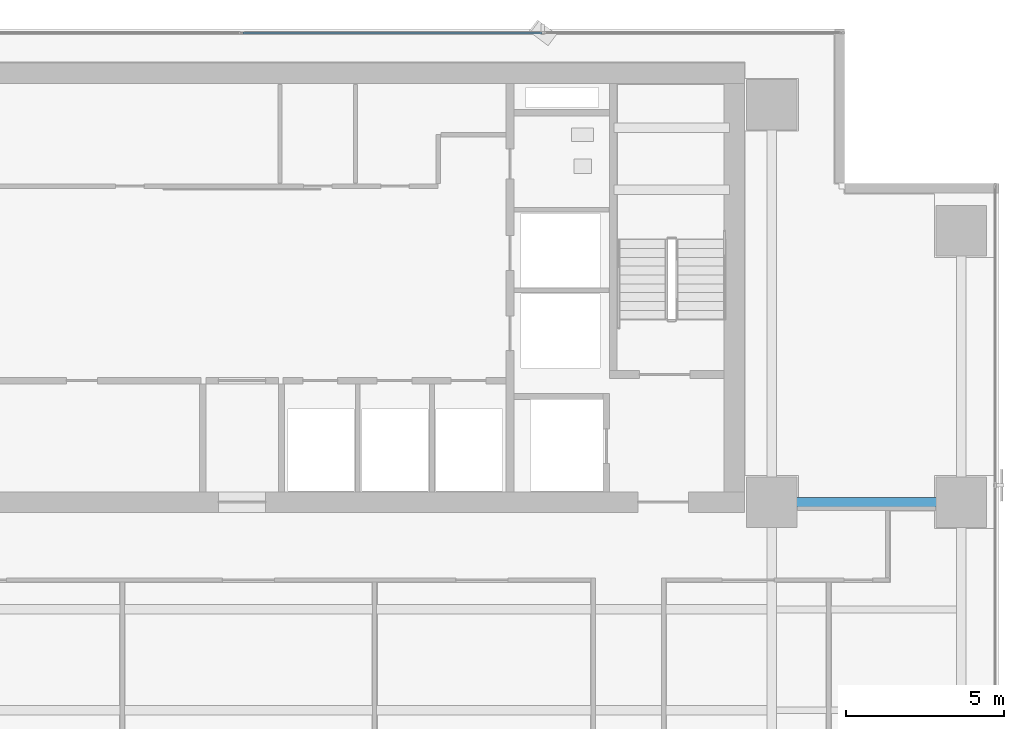
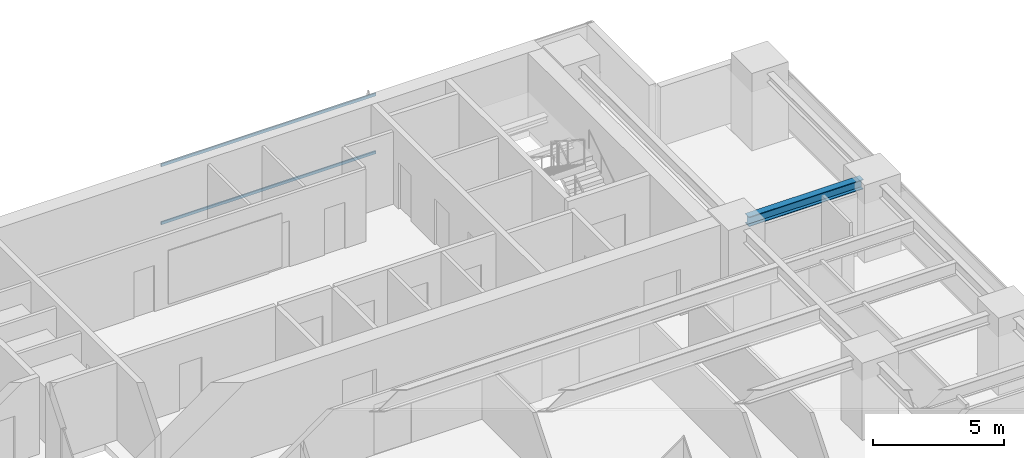
# One storey, part 17 of 29: 2 members, 1 beam, 1 element without a shape of its own.
"""IFC4 building model written with IfcOpenShell, lengths in metres."""

from ifc_helpers import new_model, si_unit, direction, frame, origin, origin_2d, place, context, subcontext, project, spatial, hollow_rectangle, i_section, extrude, source, transform, mapped, material, layer, layer_set, material_profile, profile_set, type_object, element, aggregate, save


model = new_model("IFC4")

# Units and contexts
model_context = context("Model", 3, precision=1e-05, world=origin(), true_north=direction((0.0, 1.0)))
body_context = subcontext(model_context, "Body", "Model", "MODEL_VIEW")
ifc_project = project(units=[si_unit("LENGTHUNIT", "METRE"), si_unit("AREAUNIT", "SQUARE_METRE"), si_unit("VOLUMEUNIT", "CUBIC_METRE"), si_unit("PLANEANGLEUNIT", "RADIAN"), si_unit("MASSUNIT", "GRAM", prefix="KILO")], contexts=[model_context])

# Site, building, storey
site_placement = place(None, origin())
site = spatial("IfcSite", under=ifc_project, at=site_placement, CompositionType="ELEMENT")
building_placement = place(site_placement, origin())
building = spatial("IfcBuilding", under=site, at=building_placement, Name="Sumidabori Civic Tower", CompositionType="ELEMENT")
storey_placement = place(building_placement, frame((0.0, 0.0, 131.60009765625)))
storey = spatial("IfcBuildingStorey", under=building, at=storey_placement, Name="L33", CompositionType="ELEMENT", Elevation=131.60009765625)

# Beam
ifc_material_1 = material(Name="Steel SN490", Category="steel")
ifc_material_profile_1 = material_profile(ifc_material_1, i_section(OverallWidth=0.300048828125, OverallDepth=0.449951171875, WebThickness=0.013916015625, FlangeThickness=0.02587890625, at=origin_2d()), Name="HE 450 B")
ifc_profile_set_1 = profile_set([ifc_material_profile_1], Name="Steel SN490")
beam_type = type_object("IfcBeamType", Name="BM-GIRD-450", PredefinedType="BEAM", material=ifc_profile_set_1)
shared_shape_1 = source(origin(), body_context, "Body", "SweptSolid", [
    extrude(i_section(OverallWidth=0.300048828125, OverallDepth=0.449951171875, WebThickness=0.013916015625, FlangeThickness=0.02587890625, at=origin_2d()), origin(), (0.0, 0.0, 1.0), 5.0400390625),
])
beam_placement = place(storey_placement, frame((17.280029296875, 10.199951171875, 3.15478515625), z_axis=(1.0, 0.0, 0.0), x_axis=(0.0, 1.0, 0.0)))
element("IfcBeam", 1, at=beam_placement, inside=storey, type_object=beam_type, Name="Primary Girder L33 GX-18", PredefinedType="BEAM", context=body_context, shape_type="MappedRepresentation", body=[
    mapped(shared_shape_1, transform((0.0, 0.0, 0.0), x_axis=(1.0, 0.0, 0.0), y_axis=(0.0, 1.0, 0.0), z_axis=(0.0, 0.0, 1.0), scale=1.0)),
])

# Curtain wall, members
ifc_material_2 = material(Name="Anodised Bronze Aluminium AW-6063-T6", Category="aluminium")
ifc_layer = layer(ifc_material_2, 0.179931640625, Name="Anodised Bronze Aluminium AW-6063-T6")
ifc_layer_set = layer_set([ifc_layer], Name="Anodised Bronze Aluminium AW-6063-T6")
curtain_wall_type = type_object("IfcCurtainWallType", Name="CW-SYS-3", PredefinedType="NOTDEFINED", material=ifc_layer_set)
curtain_wall_placement = place(storey_placement, origin())
curtain_wall = element("IfcCurtainWall", 2, at=curtain_wall_placement, inside=storey, type_object=curtain_wall_type, Name="Curtain Wall CW:L33:R07", PredefinedType="NOTDEFINED")
ifc_material_profile_2 = material_profile(ifc_material_2, hollow_rectangle(XDim=0.06005859375, YDim=0.1298828125, WallThickness=0.0048828125, at=origin_2d()), Name="ALU TRANSOM 130x60")
ifc_profile_set_2 = profile_set([ifc_material_profile_2], Name="Anodised Bronze Aluminium AW-6063-T6")
member_type = type_object("IfcMemberType", Name="CW-TRN-130", PredefinedType="USERDEFINED", material=ifc_profile_set_2)
shared_shape_2 = source(origin(), body_context, "Body", "SweptSolid", [
    extrude(hollow_rectangle(XDim=0.06005859375, YDim=0.1298828125, WallThickness=0.0048828125, at=origin_2d()), origin(), (0.0, 0.0, 1.0), 9.469970703125),
])
member_1_placement = place(storey_placement, frame((9.50244140625, 25.080078125, 0.02978515625), z_axis=(-1.0, 0.0, 0.0), x_axis=(0.0, -1.0, 0.0)))
member_1 = element("IfcMember", 3, at=member_1_placement, type_object=member_type, Name="CW-3 transom 2.1", ObjectType="TRANSOM", PredefinedType="USERDEFINED", context=body_context, shape_type="MappedRepresentation", body=[
    mapped(shared_shape_2, transform((0.0, 0.0, 0.0), x_axis=(1.0, 0.0, 0.0), y_axis=(0.0, 1.0, 0.0), z_axis=(0.0, 0.0, 1.0), scale=1.0)),
])
member_2_placement = place(storey_placement, frame((9.50244140625, 25.080078125, 2.72998046875), z_axis=(-1.0, 0.0, 0.0), x_axis=(0.0, -1.0, 0.0)))
member_2 = element("IfcMember", 4, at=member_2_placement, type_object=member_type, Name="CW-3 transom 2.2", ObjectType="TRANSOM", PredefinedType="USERDEFINED", context=body_context, shape_type="MappedRepresentation", body=[
    mapped(shared_shape_2, transform((0.0, 0.0, 0.0), x_axis=(1.0, 0.0, 0.0), y_axis=(0.0, 1.0, 0.0), z_axis=(0.0, 0.0, 1.0), scale=1.0)),
])
aggregate(curtain_wall, [member_1, member_2])

save(model, "model.ifc")
